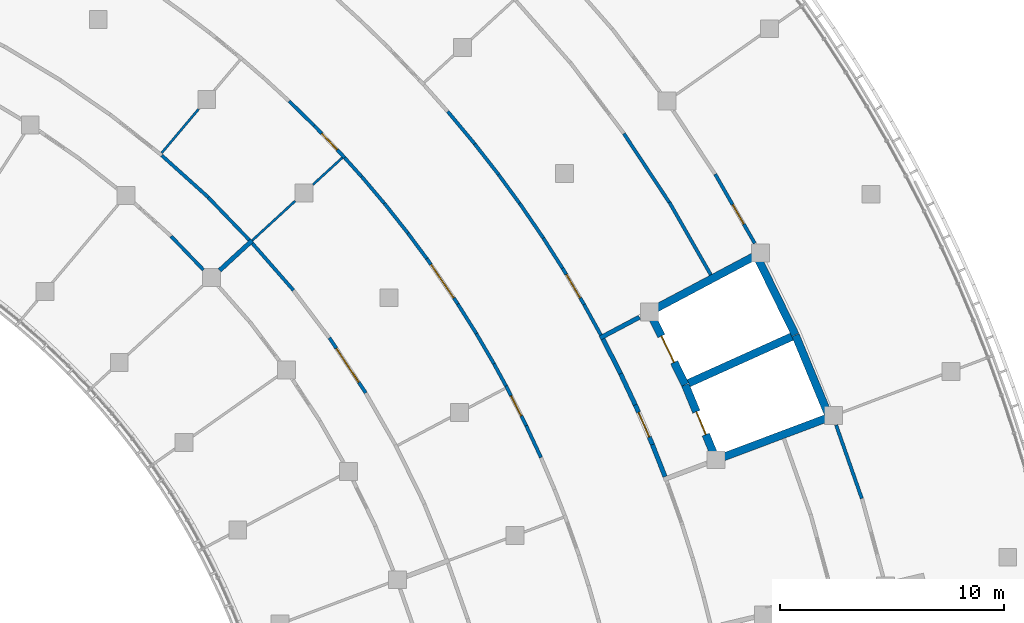
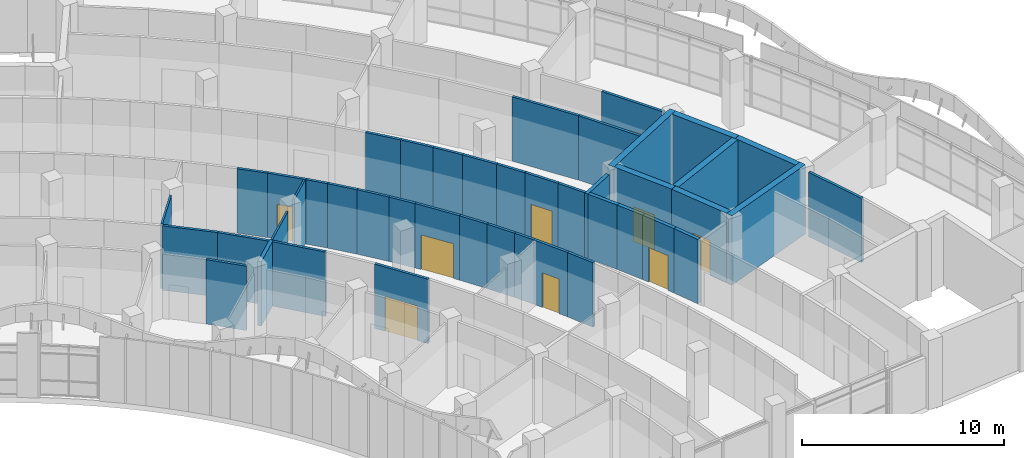
# One storey, part 67 of 137: 44 walls, 9 doors, 9 openings.
"""IFC4 building model written with IfcOpenShell, lengths in metres."""

from ifc_helpers import new_model, si_unit, direction, frame, frame_2d, origin, place, context, subcontext, project, spatial, rectangle, extrude, material, layer, layer_set, type_object, element, fill, save


model = new_model("IFC4")

# Units and contexts
model_context = context("Model", 3, precision=1e-05, world=origin(), true_north=direction((0.0, 1.0)))
body_context = subcontext(model_context, "Body", "Model", "MODEL_VIEW")
ifc_project = project(units=[si_unit("LENGTHUNIT", "METRE"), si_unit("AREAUNIT", "SQUARE_METRE"), si_unit("VOLUMEUNIT", "CUBIC_METRE"), si_unit("PLANEANGLEUNIT", "RADIAN"), si_unit("MASSUNIT", "GRAM", prefix="KILO")], contexts=[model_context])

# Site, building, storey
site_placement = place(None, origin())
site = spatial("IfcSite", under=ifc_project, at=site_placement, CompositionType="ELEMENT")
building_placement = place(site_placement, origin())
building = spatial("IfcBuilding", under=site, at=building_placement, Name="Bougainvillea Quay General Hospital", CompositionType="ELEMENT")
storey_placement = place(building_placement, frame((0.0, 0.0, 16.800048828125)))
storey = spatial("IfcBuildingStorey", under=building, at=storey_placement, Name="L03", CompositionType="ELEMENT", Elevation=16.800048828125)

# Walls
ifc_material_1 = material(Name="Gypsum board partition on steel studs", Category="steel")
ifc_layer_1 = layer(ifc_material_1, 0.10009765625)
ifc_layer_set_1 = layer_set([ifc_layer_1], Name="Gypsum board partition on steel studs")
wall_type_1 = type_object("IfcWallType", Name="Partition 100 Gypsum board partition EI 30", PredefinedType="PARTITIONING", material=ifc_layer_set_1)
wall_1_placement = place(storey_placement, frame((141.64501953125, 51.797607421875, 0.0), z_axis=(0.0, 0.0, 1.0), x_axis=(0.73658314114, 0.676347008709, 0.0)))
element("IfcWall", 1, at=wall_1_placement, inside=storey, type_object=wall_type_1, Name="Partition 100 mm EI 30", PredefinedType="PARTITIONING", context=body_context, shape_type="SweptSolid", body=[
    extrude(rectangle(XDim=2.610107421875, YDim=0.10009765625, at=frame_2d((1.30517578125, 0.0))), origin(), (0.0, 0.0, 1.0), 3.89990234375),
])
wall_2_placement = place(storey_placement, frame((144.3603515625, 54.291015625, 0.0), z_axis=(0.0, 0.0, 1.0), x_axis=(0.736578706187, 0.676351838611, 0.0)))
element("IfcWall", 2, at=wall_2_placement, inside=storey, type_object=wall_type_1, Name="Partition 100 mm EI 30", PredefinedType="PARTITIONING", context=body_context, shape_type="SweptSolid", body=[
    extrude(rectangle(XDim=1.779541015625, YDim=0.10009765625, at=frame_2d((0.8896484375, 0.0))), origin(), (0.0, 0.0, 1.0), 3.89990234375),
])
wall_3_placement = place(storey_placement, frame((137.60546875, 55.70361328125, 0.0), z_axis=(0.0, 0.0, 1.0), x_axis=(0.644432238292, 0.764661421971, 0.0)))
element("IfcWall", 3, at=wall_3_placement, inside=storey, type_object=wall_type_1, Name="Partition 100 mm EI 30", PredefinedType="PARTITIONING", context=body_context, shape_type="SweptSolid", body=[
    extrude(rectangle(XDim=2.560546875, YDim=0.10009765625, at=frame_2d((1.2802734375, 0.0))), origin(), (0.0, 0.0, 1.0), 3.89990234375),
])

# Wall, opening, door
ifc_material_2 = material(Name="Gypsum board partition on steel studs, insulated", Category="steel")
ifc_layer_2 = layer(ifc_material_2, 0.14990234375)
ifc_layer_set_2 = layer_set([ifc_layer_2], Name="Gypsum board partition on steel studs, insulated")
wall_type_2 = type_object("IfcWallType", Name="Partition 150 Gypsum board partition EI 30", PredefinedType="PARTITIONING", material=ifc_layer_set_2)
wall_4_placement = place(storey_placement, frame((162.312744140625, 54.758056640625, 0.0), z_axis=(0.0, 0.0, 1.0), x_axis=(0.496582798362, -0.867989357291, 0.0)))
wall_4 = element("IfcWall", 4, at=wall_4_placement, inside=storey, type_object=wall_type_2, Name="Partition 150 mm EI 30", PredefinedType="PARTITIONING", context=body_context, shape_type="SweptSolid", body=[
    extrude(rectangle(XDim=3.553466796875, YDim=0.14990234375, at=frame_2d((1.77685546875, 0.0))), origin(), (0.0, 0.0, 1.0), 3.89990234375),
])
opening_1_placement = place(wall_4_placement, frame((1.56591796875, 0.0, 0.0)))
opening_1 = element("IfcOpeningElement", 5, at=opening_1_placement, cuts=wall_4, Name="Opening L03.185", PredefinedType="OPENING", context=body_context, shape_type="SweptSolid", body=[
    extrude(rectangle(XDim=1.0, YDim=2.10009765625, at=frame_2d((0.5, 1.050048828125))), frame((0.0, 0.0849609375, 0.0), z_axis=(0.0, -1.0, 0.0), x_axis=(1.0, 0.0, 0.0)), (0.0, 0.0, 1.0), 0.169921875),
])
ifc_material_3 = material(Name="Solid-core timber door leaf in steel frame", Category="steel")
door_type_1 = type_object("IfcDoorType", Name="Single leaf door 1000x2100 FD30S", OperationType="NOTDEFINED", PredefinedType="DOOR", material=ifc_material_3)
door_1_placement = place(opening_1_placement, origin())
door_1 = element("IfcDoor", 6, at=door_1_placement, inside=storey, type_object=door_type_1, Name="DT15 L03.185", OperationType="SINGLE_SWING_RIGHT", OverallHeight=2.10009765625, OverallWidth=1.0, PredefinedType="DOOR", context=body_context, shape_type="SweptSolid", body=[
    extrude(rectangle(XDim=1.0, YDim=2.10009765625, at=frame_2d((0.5, 1.050048828125))), frame((0.0, 0.02490234375, 0.0), z_axis=(0.0, -1.0, 0.0), x_axis=(1.0, 0.0, 0.0)), (0.0, 0.0, 1.0), 0.050048828125),
])
fill(opening_1, door_1)

# Walls
wall_5_placement = place(storey_placement, frame((167.711181640625, 43.55859375, 0.0), z_axis=(0.0, 0.0, 1.0), x_axis=(0.330491338893, -0.9438090246, 0.0)))
element("IfcWall", 7, at=wall_5_placement, inside=storey, type_object=wall_type_2, Name="Partition 150 mm EI 30", PredefinedType="PARTITIONING", context=body_context, shape_type="SweptSolid", body=[
    extrude(rectangle(XDim=3.47265625, YDim=0.14990234375, at=frame_2d((1.736328125, 0.0))), origin(), (0.0, 0.0, 1.0), 3.89990234375),
])
wall_6_placement = place(storey_placement, frame((160.268798828125, 53.501220703125, 0.0), z_axis=(0.0, 0.0, 1.0), x_axis=(0.496371795626, -0.8681100394, 0.0)))
element("IfcWall", 8, at=wall_6_placement, inside=storey, type_object=wall_type_2, Name="Partition 150 mm EI 30", PredefinedType="PARTITIONING", context=body_context, shape_type="SweptSolid", body=[
    extrude(rectangle(XDim=3.725830078125, YDim=0.14990234375, at=frame_2d((1.86279296875, 0.0))), origin(), (0.0, 0.0, 1.0), 3.89990234375),
])
wall_7_placement = place(storey_placement, frame((158.23583984375, 56.5712890625, 0.0), z_axis=(0.0, 0.0, 1.0), x_axis=(0.550996276136, -0.834507701393, 0.0)))
element("IfcWall", 9, at=wall_7_placement, inside=storey, type_object=wall_type_2, Name="Partition 150 mm EI 30", PredefinedType="PARTITIONING", context=body_context, shape_type="SweptSolid", body=[
    extrude(rectangle(XDim=3.6865234375, YDim=0.14990234375, at=frame_2d((1.84326171875, 0.0))), origin(), (0.0, 0.0, 1.0), 3.89990234375),
])

# Wall, opening, door
wall_8_placement = place(storey_placement, frame((145.089599609375, 47.45849609375, 0.0), z_axis=(0.0, 0.0, 1.0), x_axis=(0.551018151494, -0.834493257447, 0.0)))
wall_8 = element("IfcWall", 10, at=wall_8_placement, inside=storey, type_object=wall_type_2, Name="Partition 150 mm EI 30", PredefinedType="PARTITIONING", context=body_context, shape_type="SweptSolid", body=[
    extrude(rectangle(XDim=2.95751953125, YDim=0.14990234375, at=frame_2d((1.478759765625, 0.0))), origin(), (0.0, 0.0, 1.0), 3.89990234375),
])
opening_2_placement = place(wall_8_placement, frame((0.578857421875, 0.0, 0.0)))
opening_2 = element("IfcOpeningElement", 11, at=opening_2_placement, cuts=wall_8, Name="Opening L03.149", PredefinedType="OPENING", context=body_context, shape_type="SweptSolid", body=[
    extrude(rectangle(XDim=1.800048828125, YDim=2.10009765625, at=frame_2d((0.89990234375, 1.050048828125))), frame((0.0, 0.0849609375, 0.0), z_axis=(0.0, -1.0, 0.0), x_axis=(1.0, 0.0, 0.0)), (0.0, 0.0, 1.0), 0.169921875),
])
ifc_material_4 = material(Name="Solid-core timber door leaves in steel frame", Category="steel")
door_type_2 = type_object("IfcDoorType", Name="Double leaf door 1800x2100", OperationType="DOUBLE_DOOR_SINGLE_SWING", PredefinedType="DOOR", material=ifc_material_4)
door_2_placement = place(opening_2_placement, frame((1.800048828125, 0.0, 0.0), z_axis=(0.0, 0.0, 1.0), x_axis=(-1.0, 0.0, 0.0)))
door_2 = element("IfcDoor", 12, at=door_2_placement, inside=storey, type_object=door_type_2, Name="DT08 L03.149", OperationType="DOUBLE_DOOR_SINGLE_SWING", OverallHeight=2.10009765625, OverallWidth=1.800048828125, PredefinedType="DOOR", context=body_context, shape_type="SweptSolid", body=[
    extrude(rectangle(XDim=1.800048828125, YDim=2.10009765625, at=frame_2d((0.89990234375, 1.050048828125))), frame((0.0, 0.02490234375, 0.0), z_axis=(0.0, -1.0, 0.0), x_axis=(1.0, 0.0, 0.0)), (0.0, 0.0, 1.0), 0.050048828125),
])
fill(opening_2, door_2)

# Walls
wall_9_placement = place(storey_placement, frame((141.656005859375, 51.66943359375, 0.0), z_axis=(0.0, 0.0, 1.0), x_axis=(0.659076402407, -0.752075990702, 0.0)))
element("IfcWall", 13, at=wall_9_placement, inside=storey, type_object=wall_type_2, Name="Partition 150 mm EI 30", PredefinedType="PARTITIONING", context=body_context, shape_type="SweptSolid", body=[
    extrude(rectangle(XDim=2.780029296875, YDim=0.14990234375, at=frame_2d((1.39013671875, 0.0))), origin(), (0.0, 0.0, 1.0), 3.89990234375),
])
wall_10_placement = place(storey_placement, frame((137.6083984375, 55.597900390625, 0.0), z_axis=(0.0, 0.0, 1.0), x_axis=(0.743501368773, -0.668734412628, 0.0)))
element("IfcWall", 14, at=wall_10_placement, inside=storey, type_object=wall_type_2, Name="Partition 150 mm EI 30", PredefinedType="PARTITIONING", context=body_context, shape_type="SweptSolid", body=[
    extrude(rectangle(XDim=2.8115234375, YDim=0.14990234375, at=frame_2d((1.40576171875, 0.0))), origin(), (0.0, 0.0, 1.0), 3.89990234375),
])
wall_11_placement = place(storey_placement, frame((139.69140625, 53.717529296875, 0.0), z_axis=(0.0, 0.0, 1.0), x_axis=(0.693447550136, -0.720507109757, 0.0)))
element("IfcWall", 15, at=wall_11_placement, inside=storey, type_object=wall_type_2, Name="Partition 150 mm EI 30", PredefinedType="PARTITIONING", context=body_context, shape_type="SweptSolid", body=[
    extrude(rectangle(XDim=2.634521484375, YDim=0.14990234375, at=frame_2d((1.3173828125, 0.0))), origin(), (0.0, 0.0, 1.0), 3.89990234375),
])
wall_12_placement = place(storey_placement, frame((138.031494140625, 51.984619140625, 0.0), z_axis=(0.0, 0.0, 1.0), x_axis=(0.693216793474, -0.7207291289, 0.0)))
element("IfcWall", 16, at=wall_12_placement, inside=storey, type_object=wall_type_2, Name="Partition 150 mm EI 30", PredefinedType="PARTITIONING", context=body_context, shape_type="SweptSolid", body=[
    extrude(rectangle(XDim=2.076416015625, YDim=0.14990234375, at=frame_2d((1.0380859375, 0.0))), origin(), (0.0, 0.0, 1.0), 3.89990234375),
])

# Wall, opening, door
wall_13_placement = place(storey_placement, frame((149.442626953125, 50.989990234375, 0.0), z_axis=(0.0, 0.0, 1.0), x_axis=(0.564305795339, -0.825565847977, 0.0)))
wall_13 = element("IfcWall", 17, at=wall_13_placement, inside=storey, type_object=wall_type_2, Name="Partition 150 mm EI 30", PredefinedType="PARTITIONING", context=body_context, shape_type="SweptSolid", body=[
    extrude(rectangle(XDim=2.453857421875, YDim=0.14990234375, at=frame_2d((1.22705078125, 0.0))), origin(), (0.0, 0.0, 1.0), 3.89990234375),
])
opening_3_placement = place(wall_13_placement, frame((0.326904296875, 0.0, 0.0)))
opening_3 = element("IfcOpeningElement", 18, at=opening_3_placement, cuts=wall_13, Name="Opening L03.163", PredefinedType="OPENING", context=body_context, shape_type="SweptSolid", body=[
    extrude(rectangle(XDim=1.800048828125, YDim=2.10009765625, at=frame_2d((0.89990234375, 1.050048828125))), frame((0.0, 0.0849609375, 0.0), z_axis=(0.0, -1.0, 0.0), x_axis=(1.0, 0.0, 0.0)), (0.0, 0.0, 1.0), 0.169921875),
])
door_3_placement = place(opening_3_placement, origin())
door_3 = element("IfcDoor", 19, at=door_3_placement, inside=storey, type_object=door_type_2, Name="DT08 L03.163", OperationType="DOUBLE_DOOR_SINGLE_SWING", OverallHeight=2.10009765625, OverallWidth=1.800048828125, PredefinedType="DOOR", context=body_context, shape_type="SweptSolid", body=[
    extrude(rectangle(XDim=1.800048828125, YDim=2.10009765625, at=frame_2d((0.89990234375, 1.050048828125))), frame((0.0, 0.02490234375, 0.0), z_axis=(0.0, -1.0, 0.0), x_axis=(1.0, 0.0, 0.0)), (0.0, 0.0, 1.0), 0.050048828125),
])
fill(opening_3, door_3)

wall_14_placement = place(storey_placement, frame((152.97998046875, 45.303955078125, 0.0), z_axis=(0.0, 0.0, 1.0), x_axis=(0.45308978769, -0.89146488674, 0.0)))
wall_14 = element("IfcWall", 20, at=wall_14_placement, inside=storey, type_object=wall_type_2, Name="Partition 150 mm EI 30", PredefinedType="PARTITIONING", context=body_context, shape_type="SweptSolid", body=[
    extrude(rectangle(XDim=1.990966796875, YDim=0.14990234375, at=frame_2d((0.99560546875, 0.0))), origin(), (0.0, 0.0, 1.0), 3.89990234375),
])
opening_4_placement = place(wall_14_placement, frame((0.495361328125, 0.0, 0.0)))
opening_4 = element("IfcOpeningElement", 21, at=opening_4_placement, cuts=wall_14, Name="Opening L03.191", PredefinedType="OPENING", context=body_context, shape_type="SweptSolid", body=[
    extrude(rectangle(XDim=1.0, YDim=2.10009765625, at=frame_2d((0.5, 1.050048828125))), frame((0.0, 0.0849609375, 0.0), z_axis=(0.0, -1.0, 0.0), x_axis=(1.0, 0.0, 0.0)), (0.0, 0.0, 1.0), 0.169921875),
])
door_4_placement = place(opening_4_placement, frame((1.0, 0.0, 0.0), z_axis=(0.0, 0.0, 1.0), x_axis=(-1.0, 0.0, 0.0)))
door_4 = element("IfcDoor", 22, at=door_4_placement, inside=storey, type_object=door_type_1, Name="DT15 L03.191", OperationType="SINGLE_SWING_RIGHT", OverallHeight=2.10009765625, OverallWidth=1.0, PredefinedType="DOOR", context=body_context, shape_type="SweptSolid", body=[
    extrude(rectangle(XDim=1.0, YDim=2.10009765625, at=frame_2d((0.5, 1.050048828125))), frame((0.0, 0.02490234375, 0.0), z_axis=(0.0, -1.0, 0.0), x_axis=(1.0, 0.0, 0.0)), (0.0, 0.0, 1.0), 0.050048828125),
])
fill(opening_4, door_4)

wall_15_placement = place(storey_placement, frame((144.408203125, 56.933349609375, 0.0), z_axis=(0.0, 0.0, 1.0), x_axis=(0.689023586461, -0.724738916646, 0.0)))
wall_15 = element("IfcWall", 23, at=wall_15_placement, inside=storey, type_object=wall_type_2, Name="Partition 150 mm EI 30", PredefinedType="PARTITIONING", context=body_context, shape_type="SweptSolid", body=[
    extrude(rectangle(XDim=1.9892578125, YDim=0.14990234375, at=frame_2d((0.99462890625, 0.0))), origin(), (0.0, 0.0, 1.0), 3.89990234375),
])
opening_5_placement = place(wall_15_placement, frame((0.494384765625, 0.0, 0.0)))
opening_5 = element("IfcOpeningElement", 24, at=opening_5_placement, cuts=wall_15, Name="Opening L03.187", PredefinedType="OPENING", context=body_context, shape_type="SweptSolid", body=[
    extrude(rectangle(XDim=1.0, YDim=2.10009765625, at=frame_2d((0.5, 1.050048828125))), frame((0.0, 0.0849609375, 0.0), z_axis=(0.0, -1.0, 0.0), x_axis=(1.0, 0.0, 0.0)), (0.0, 0.0, 1.0), 0.169921875),
])
door_5_placement = place(opening_5_placement, frame((1.0, 0.0, 0.0), z_axis=(0.0, 0.0, 1.0), x_axis=(-1.0, 0.0, 0.0)))
door_5 = element("IfcDoor", 25, at=door_5_placement, inside=storey, type_object=door_type_1, Name="DT15 L03.187", OperationType="SINGLE_SWING_LEFT", OverallHeight=2.10009765625, OverallWidth=1.0, PredefinedType="DOOR", context=body_context, shape_type="SweptSolid", body=[
    extrude(rectangle(XDim=1.0, YDim=2.10009765625, at=frame_2d((0.5, 1.050048828125))), frame((0.0, 0.02490234375, 0.0), z_axis=(0.0, -1.0, 0.0), x_axis=(1.0, 0.0, 0.0)), (0.0, 0.0, 1.0), 0.050048828125),
])
fill(opening_5, door_5)

wall_16_placement = place(storey_placement, frame((155.497802734375, 50.56640625, 0.0), z_axis=(0.0, 0.0, 1.0), x_axis=(0.510320389621, -0.859984360287, 0.0)))
wall_16 = element("IfcWall", 26, at=wall_16_placement, inside=storey, type_object=wall_type_2, Name="Partition 150 mm EI 30", PredefinedType="PARTITIONING", context=body_context, shape_type="SweptSolid", body=[
    extrude(rectangle(XDim=1.885986328125, YDim=0.14990234375, at=frame_2d((0.94287109375, 0.0))), origin(), (0.0, 0.0, 1.0), 3.89990234375),
])
opening_6_placement = place(wall_16_placement, frame((0.343017578125, 0.0, 0.0)))
opening_6 = element("IfcOpeningElement", 27, at=opening_6_placement, cuts=wall_16, Name="Opening L03.160", PredefinedType="OPENING", context=body_context, shape_type="SweptSolid", body=[
    extrude(rectangle(XDim=1.199951171875, YDim=2.10009765625, at=frame_2d((0.60009765625, 1.050048828125))), frame((0.0, 0.0849609375, 0.0), z_axis=(0.0, -1.0, 0.0), x_axis=(1.0, 0.0, 0.0)), (0.0, 0.0, 1.0), 0.169921875),
])
door_type_3 = type_object("IfcDoorType", Name="Single leaf door 1200x2100", OperationType="NOTDEFINED", PredefinedType="DOOR", material=ifc_material_3)
door_6_placement = place(opening_6_placement, frame((1.199951171875, 0.0, 0.0), z_axis=(0.0, 0.0, 1.0), x_axis=(-1.0, 0.0, 0.0)))
door_6 = element("IfcDoor", 28, at=door_6_placement, inside=storey, type_object=door_type_3, Name="DT13 L03.160", OperationType="SINGLE_SWING_RIGHT", OverallHeight=2.10009765625, OverallWidth=1.199951171875, PredefinedType="DOOR", context=body_context, shape_type="SweptSolid", body=[
    extrude(rectangle(XDim=1.199951171875, YDim=2.10009765625, at=frame_2d((0.60009765625, 1.050048828125))), frame((0.0, 0.02490234375, 0.0), z_axis=(0.0, -1.0, 0.0), x_axis=(1.0, 0.0, 0.0)), (0.0, 0.0, 1.0), 0.050048828125),
])
fill(opening_6, door_6)

# Walls
wall_17_placement = place(storey_placement, frame((150.3720703125, 57.5576171875, 0.0), z_axis=(0.0, 0.0, 1.0), x_axis=(0.640540861144, -0.767924088178, 0.0)))
element("IfcWall", 29, at=wall_17_placement, inside=storey, type_object=wall_type_2, Name="Partition 150 mm EI 30", PredefinedType="PARTITIONING", context=body_context, shape_type="SweptSolid", body=[
    extrude(rectangle(XDim=1.885986328125, YDim=0.14990234375, at=frame_2d((0.94287109375, 0.0))), origin(), (0.0, 0.0, 1.0), 3.89990234375),
])
wall_18_placement = place(storey_placement, frame((151.57666015625, 56.109619140625, 0.0), z_axis=(0.0, 0.0, 1.0), x_axis=(0.615485903982, -0.788147893481, 0.0)))
element("IfcWall", 30, at=wall_18_placement, inside=storey, type_object=wall_type_2, Name="Partition 150 mm EI 30", PredefinedType="PARTITIONING", context=body_context, shape_type="SweptSolid", body=[
    extrude(rectangle(XDim=1.73779296875, YDim=0.14990234375, at=frame_2d((0.868896484375, 0.0))), origin(), (0.0, 0.0, 1.0), 3.89990234375),
])
wall_19_placement = place(storey_placement, frame((153.581787109375, 53.4599609375, 0.0), z_axis=(0.0, 0.0, 1.0), x_axis=(0.564047793024, -0.825742143277, 0.0)))
element("IfcWall", 31, at=wall_19_placement, inside=storey, type_object=wall_type_2, Name="Partition 150 mm EI 30", PredefinedType="PARTITIONING", context=body_context, shape_type="SweptSolid", body=[
    extrude(rectangle(XDim=1.885498046875, YDim=0.14990234375, at=frame_2d((0.94287109375, 0.0))), origin(), (0.0, 0.0, 1.0), 3.89990234375),
])
wall_20_placement = place(storey_placement, frame((152.642822265625, 54.740234375, 0.0), z_axis=(0.0, 0.0, 1.0), x_axis=(0.590151339463, -0.807292633764, 0.0)))
element("IfcWall", 32, at=wall_20_placement, inside=storey, type_object=wall_type_2, Name="Partition 150 mm EI 30", PredefinedType="PARTITIONING", context=body_context, shape_type="SweptSolid", body=[
    extrude(rectangle(XDim=1.58984375, YDim=0.14990234375, at=frame_2d((0.794921875, 0.0))), origin(), (0.0, 0.0, 1.0), 3.89990234375),
])
wall_21_placement = place(storey_placement, frame((156.45703125, 48.9453125, 0.0), z_axis=(0.0, 0.0, 1.0), x_axis=(0.482411223267, -0.875944867937, 0.0)))
element("IfcWall", 33, at=wall_21_placement, inside=storey, type_object=wall_type_2, Name="Partition 150 mm EI 30", PredefinedType="PARTITIONING", context=body_context, shape_type="SweptSolid", body=[
    extrude(rectangle(XDim=1.560302734375, YDim=0.14990234375, at=frame_2d((0.7802734375, 0.0))), origin(), (0.0, 0.0, 1.0), 3.89990234375),
])
wall_22_placement = place(storey_placement, frame((154.64208984375, 51.90380859375, 0.0), z_axis=(0.0, 0.0, 1.0), x_axis=(0.537610565613, -0.843193263577, 0.0)))
element("IfcWall", 34, at=wall_22_placement, inside=storey, type_object=wall_type_2, Name="Partition 150 mm EI 30", PredefinedType="PARTITIONING", context=body_context, shape_type="SweptSolid", body=[
    extrude(rectangle(XDim=1.58984375, YDim=0.14990234375, at=frame_2d((0.794921875, 0.0))), origin(), (0.0, 0.0, 1.0), 3.89990234375),
])
wall_23_placement = place(storey_placement, frame((150.823486328125, 48.96484375, 0.0), z_axis=(0.0, 0.0, 1.0), x_axis=(0.531963557529, -0.846767248694, 0.0)))
element("IfcWall", 35, at=wall_23_placement, inside=storey, type_object=wall_type_2, Name="Partition 150 mm EI 30", PredefinedType="PARTITIONING", context=body_context, shape_type="SweptSolid", body=[
    extrude(rectangle(XDim=1.562744140625, YDim=0.14990234375, at=frame_2d((0.78125, 0.0))), origin(), (0.0, 0.0, 1.0), 3.89990234375),
])
wall_24_placement = place(storey_placement, frame((147.54150390625, 53.4619140625, 0.0), z_axis=(0.0, 0.0, 1.0), x_axis=(0.620542012859, -0.784173201708, 0.0)))
element("IfcWall", 36, at=wall_24_placement, inside=storey, type_object=wall_type_2, Name="Partition 150 mm EI 30", PredefinedType="PARTITIONING", context=body_context, shape_type="SweptSolid", body=[
    extrude(rectangle(XDim=1.7099609375, YDim=0.14990234375, at=frame_2d((0.85498046875, 0.0))), origin(), (0.0, 0.0, 1.0), 3.89990234375),
])
wall_25_placement = place(storey_placement, frame((143.29248046875, 58.0224609375, 0.0), z_axis=(0.0, 0.0, 1.0), x_axis=(0.714415993139, -0.699721222164, 0.0)))
element("IfcWall", 37, at=wall_25_placement, inside=storey, type_object=wall_type_2, Name="Partition 150 mm EI 30", PredefinedType="PARTITIONING", context=body_context, shape_type="SweptSolid", body=[
    extrude(rectangle(XDim=1.561767578125, YDim=0.14990234375, at=frame_2d((0.78076171875, 0.0))), origin(), (0.0, 0.0, 1.0), 3.89990234375),
])
wall_26_placement = place(storey_placement, frame((151.651611328125, 47.64208984375, 0.0), z_axis=(0.0, 0.0, 1.0), x_axis=(0.504852542481, -0.863205601436, 0.0)))
element("IfcWall", 38, at=wall_26_placement, inside=storey, type_object=wall_type_2, Name="Partition 150 mm EI 30", PredefinedType="PARTITIONING", context=body_context, shape_type="SweptSolid", body=[
    extrude(rectangle(XDim=1.5615234375, YDim=0.14990234375, at=frame_2d((0.78076171875, 0.0))), origin(), (0.0, 0.0, 1.0), 3.89990234375),
])
wall_27_placement = place(storey_placement, frame((153.87841796875, 43.5302734375, 0.0), z_axis=(0.0, 0.0, 1.0), x_axis=(0.421455751704, -0.906848967224, 0.0)))
element("IfcWall", 39, at=wall_27_placement, inside=storey, type_object=wall_type_2, Name="Partition 150 mm EI 30", PredefinedType="PARTITIONING", context=body_context, shape_type="SweptSolid", body=[
    extrude(rectangle(XDim=1.561767578125, YDim=0.14990234375, at=frame_2d((0.78076171875, 0.0))), origin(), (0.0, 0.0, 1.0), 3.89990234375),
])
wall_28_placement = place(storey_placement, frame((148.599365234375, 52.12158203125, 0.0), z_axis=(0.0, 0.0, 1.0), x_axis=(0.595875663086, -0.803076705017, 0.0)))
element("IfcWall", 40, at=wall_28_placement, inside=storey, type_object=wall_type_2, Name="Partition 150 mm EI 30", PredefinedType="PARTITIONING", context=body_context, shape_type="SweptSolid", body=[
    extrude(rectangle(XDim=1.413818359375, YDim=0.14990234375, at=frame_2d((0.70703125, 0.0))), origin(), (0.0, 0.0, 1.0), 3.89990234375),
])
wall_29_placement = place(storey_placement, frame((146.53369140625, 54.6513671875, 0.0), z_axis=(0.0, 0.0, 1.0), x_axis=(0.645184874707, -0.764026490018, 0.0)))
element("IfcWall", 41, at=wall_29_placement, inside=storey, type_object=wall_type_2, Name="Partition 150 mm EI 30", PredefinedType="PARTITIONING", context=body_context, shape_type="SweptSolid", body=[
    extrude(rectangle(XDim=1.561279296875, YDim=0.14990234375, at=frame_2d((0.78076171875, 0.0))), origin(), (0.0, 0.0, 1.0), 3.89990234375),
])
wall_30_placement = place(storey_placement, frame((145.775634765625, 55.49169921875, 0.0), z_axis=(0.0, 0.0, 1.0), x_axis=(0.668310227337, -0.743882678946, 0.0)))
element("IfcWall", 42, at=wall_30_placement, inside=storey, type_object=wall_type_2, Name="Partition 150 mm EI 30", PredefinedType="PARTITIONING", context=body_context, shape_type="SweptSolid", body=[
    extrude(rectangle(XDim=1.134033203125, YDim=0.14990234375, at=frame_2d((0.56689453125, 0.0))), origin(), (0.0, 0.0, 1.0), 3.89990234375),
])
wall_31_placement = place(storey_placement, frame((152.43701171875, 46.294921875, 0.0), z_axis=(0.0, 0.0, 1.0), x_axis=(0.478761469216, -0.877945018549, 0.0)))
element("IfcWall", 43, at=wall_31_placement, inside=storey, type_object=wall_type_2, Name="Partition 150 mm EI 30", PredefinedType="PARTITIONING", context=body_context, shape_type="SweptSolid", body=[
    extrude(rectangle(XDim=1.132080078125, YDim=0.14990234375, at=frame_2d((0.56591796875, 0.0))), origin(), (0.0, 0.0, 1.0), 3.89990234375),
])
ifc_material_5 = material(Name="Fire-rated autoclaved aerated block wall, plastered")
ifc_layer_3 = layer(ifc_material_5, 0.199951171875)
ifc_layer_set_3 = layer_set([ifc_layer_3], Name="Fire-rated autoclaved aerated block wall, plastered")
wall_type_3 = type_object("IfcWallType", Name="Partition 200 Fire-rated autoclaved aerated block wall EI 120", PredefinedType="SOLIDWALL", material=ifc_layer_set_3)
wall_32_placement = place(storey_placement, frame((157.170654296875, 47.442138671875, 0.0), z_axis=(0.0, 0.0, 1.0), x_axis=(0.883475149074, 0.468478026133, 0.0)))
element("IfcWall", 44, at=wall_32_placement, inside=storey, type_object=wall_type_3, Name="Partition 200 mm EI 120", PredefinedType="SOLIDWALL", context=body_context, shape_type="SweptSolid", body=[
    extrude(rectangle(XDim=1.994873046875, YDim=0.199951171875, at=frame_2d((0.99755859375, 0.0))), origin(), (0.0, 0.0, 1.0), 3.89990234375),
])
wall_33_placement = place(storey_placement, frame((140.1962890625, 50.466796875, 0.0), z_axis=(0.0, 0.0, 1.0), x_axis=(0.736519787736, 0.676415997943, 0.0)))
element("IfcWall", 45, at=wall_33_placement, inside=storey, type_object=wall_type_3, Name="Partition 200 mm EI 120", PredefinedType="SOLIDWALL", context=body_context, shape_type="SweptSolid", body=[
    extrude(rectangle(XDim=1.966064453125, YDim=0.199951171875, at=frame_2d((0.98291015625, 0.0))), origin(), (0.0, 0.0, 1.0), 3.89990234375),
])

# Wall, opening, door
wall_34_placement = place(storey_placement, frame((158.747314453125, 44.46484375, 0.0), z_axis=(0.0, 0.0, 1.0), x_axis=(0.396322487651, -0.918111368943, 0.0)))
wall_34 = element("IfcWall", 46, at=wall_34_placement, inside=storey, type_object=wall_type_3, Name="Partition 200 mm EI 120", PredefinedType="SOLIDWALL", context=body_context, shape_type="SweptSolid", body=[
    extrude(rectangle(XDim=1.93603515625, YDim=0.199951171875, at=frame_2d((0.968017578125, 0.0))), origin(), (0.0, 0.0, 1.0), 3.89990234375),
])
opening_7_placement = place(wall_34_placement, frame((0.3681640625, 0.0, 0.0)))
opening_7 = element("IfcOpeningElement", 47, at=opening_7_placement, cuts=wall_34, Name="Opening L03.152", PredefinedType="OPENING", context=body_context, shape_type="SweptSolid", body=[
    extrude(rectangle(XDim=1.199951171875, YDim=2.10009765625, at=frame_2d((0.60009765625, 1.050048828125))), frame((0.0, 0.10986328125, 0.0), z_axis=(0.0, -1.0, 0.0), x_axis=(1.0, 0.0, 0.0)), (0.0, 0.0, 1.0), 0.219970703125),
])
door_type_4 = type_object("IfcDoorType", Name="Single leaf door 1200x2100 FD60", OperationType="NOTDEFINED", PredefinedType="DOOR", material=ifc_material_3)
door_7_placement = place(opening_7_placement, origin())
door_7 = element("IfcDoor", 48, at=door_7_placement, inside=storey, type_object=door_type_4, Name="DT12 L03.152", OperationType="SINGLE_SWING_LEFT", OverallHeight=2.10009765625, OverallWidth=1.199951171875, PredefinedType="DOOR", context=body_context, shape_type="SweptSolid", body=[
    extrude(rectangle(XDim=1.199951171875, YDim=2.10009765625, at=frame_2d((0.60009765625, 1.050048828125))), frame((0.0, 0.02490234375, 0.0), z_axis=(0.0, -1.0, 0.0), x_axis=(1.0, 0.0, 0.0)), (0.0, 0.0, 1.0), 0.050048828125),
])
fill(opening_7, door_7)

# Walls
wall_35_placement = place(storey_placement, frame((157.30517578125, 47.398681640625, 0.0), z_axis=(0.0, 0.0, 1.0), x_axis=(0.454575201636, -0.890708361955, 0.0)))
element("IfcWall", 49, at=wall_35_placement, inside=storey, type_object=wall_type_3, Name="Partition 200 mm EI 120", PredefinedType="SOLIDWALL", context=body_context, shape_type="SweptSolid", body=[
    extrude(rectangle(XDim=1.734130859375, YDim=0.199951171875, at=frame_2d((0.8671875, 0.0))), origin(), (0.0, 0.0, 1.0), 3.89990234375),
])
wall_36_placement = place(storey_placement, frame((158.08935546875, 45.855224609375, 0.0), z_axis=(0.0, 0.0, 1.0), x_axis=(0.42579703633, -0.904818702201, 0.0)))
element("IfcWall", 50, at=wall_36_placement, inside=storey, type_object=wall_type_3, Name="Partition 200 mm EI 120", PredefinedType="SOLIDWALL", context=body_context, shape_type="SweptSolid", body=[
    extrude(rectangle(XDim=1.541259765625, YDim=0.199951171875, at=frame_2d((0.7705078125, 0.0))), origin(), (0.0, 0.0, 1.0), 3.89990234375),
])
wall_37_placement = place(storey_placement, frame((159.510498046875, 42.688720703125, 0.0), z_axis=(0.0, 0.0, 1.0), x_axis=(0.367195475631, -0.930143796773, 0.0)))
element("IfcWall", 51, at=wall_37_placement, inside=storey, type_object=wall_type_3, Name="Partition 200 mm EI 120", PredefinedType="SOLIDWALL", context=body_context, shape_type="SweptSolid", body=[
    extrude(rectangle(XDim=1.53662109375, YDim=0.199951171875, at=frame_2d((0.768310546875, 0.0))), origin(), (0.0, 0.0, 1.0), 3.89990234375),
])
ifc_material_6 = material(Name="Concrete C40", Category="concrete")
ifc_layer_4 = layer(ifc_material_6, 0.35009765625)
ifc_layer_set_4 = layer_set([ifc_layer_4], Name="Concrete C40")
wall_type_4 = type_object("IfcWallType", Name="RC SHEAR WALL 350 C40", PredefinedType="SHEAR", material=ifc_layer_set_4)
wall_38_placement = place(storey_placement, frame((159.224365234375, 48.531005859375, 0.0), z_axis=(0.0, 0.0, 1.0), x_axis=(0.883393138637, 0.468632652094, 0.0)))
element("IfcWall", 52, at=wall_38_placement, inside=storey, type_object=wall_type_4, Name="Shear wall L03", PredefinedType="SHEAR", context=body_context, shape_type="SweptSolid", body=[
    extrude(rectangle(XDim=5.7509765625, YDim=0.35009765625, at=frame_2d((2.87548828125, 0.0))), origin(), (0.0, 0.0, 1.0), 4.199951171875),
])

# Wall, opening, door
wall_39_placement = place(storey_placement, frame((159.4560546875, 48.455810546875, 0.0), z_axis=(0.0, 0.0, 1.0), x_axis=(0.440221126053, -0.89788939195, 0.0)))
wall_39 = element("IfcWall", 53, at=wall_39_placement, inside=storey, type_object=wall_type_4, Name="Shear wall L03", PredefinedType="SHEAR", context=body_context, shape_type="SweptSolid", body=[
    extrude(rectangle(XDim=3.4423828125, YDim=0.35009765625, at=frame_2d((1.72119140625, 0.0))), origin(), (0.0, 0.0, 1.0), 4.199951171875),
])
opening_8_placement = place(wall_39_placement, frame((1.031005859375, 0.0, 0.0)))
opening_8 = element("IfcOpeningElement", 54, at=opening_8_placement, cuts=wall_39, Name="Opening LD-E1.1-L03", PredefinedType="OPENING", context=body_context, shape_type="SweptSolid", body=[
    extrude(rectangle(XDim=1.300048828125, YDim=2.10009765625, at=frame_2d((0.64990234375, 1.050048828125))), frame((0.0, 0.18505859375, 0.0), z_axis=(0.0, -1.0, 0.0), x_axis=(1.0, 0.0, 0.0)), (0.0, 0.0, 1.0), 0.3701171875),
])
ifc_material_7 = material(Name="Stainless steel centre-opening landing door", Category="steel")
door_type_5 = type_object("IfcDoorType", Name="Lift landing door 1300x2100 E 120", OperationType="DOUBLE_DOOR_SLIDING", PredefinedType="DOOR", material=ifc_material_7)
door_8_placement = place(opening_8_placement, origin())
door_8 = element("IfcDoor", 55, at=door_8_placement, inside=storey, type_object=door_type_5, Name="Lift landing door LB-E1-1 L03", OperationType="DOUBLE_DOOR_SLIDING", OverallHeight=2.10009765625, OverallWidth=1.300048828125, PredefinedType="DOOR", context=body_context, shape_type="SweptSolid", body=[
    extrude(rectangle(XDim=1.300048828125, YDim=2.10009765625, at=frame_2d((0.64990234375, 1.050048828125))), frame((0.0, 0.02490234375, 0.0), z_axis=(0.0, -1.0, 0.0), x_axis=(1.0, 0.0, 0.0)), (0.0, 0.0, 1.0), 0.050048828125),
])
fill(opening_8, door_8)

wall_40_placement = place(storey_placement, frame((160.97607421875, 45.354736328125, 0.0), z_axis=(0.0, 0.0, 1.0), x_axis=(0.381990591944, -0.924166212143, 0.0)))
wall_40 = element("IfcWall", 56, at=wall_40_placement, inside=storey, type_object=wall_type_4, Name="Shear wall L03", PredefinedType="SHEAR", context=body_context, shape_type="SweptSolid", body=[
    extrude(rectangle(XDim=3.44287109375, YDim=0.35009765625, at=frame_2d((1.721435546875, 0.0))), origin(), (0.0, 0.0, 1.0), 4.199951171875),
])
opening_9_placement = place(wall_40_placement, frame((1.300048828125, 0.0, 0.0)))
opening_9 = element("IfcOpeningElement", 57, at=opening_9_placement, cuts=wall_40, Name="Opening LD-E1.2-L03", PredefinedType="OPENING", context=body_context, shape_type="SweptSolid", body=[
    extrude(rectangle(XDim=1.10009765625, YDim=2.10009765625, at=frame_2d((0.550048828125, 1.050048828125))), frame((0.0, 0.18505859375, 0.0), z_axis=(0.0, -1.0, 0.0), x_axis=(1.0, 0.0, 0.0)), (0.0, 0.0, 1.0), 0.3701171875),
])
door_type_6 = type_object("IfcDoorType", Name="Lift landing door 1100x2100 E 120", OperationType="DOUBLE_DOOR_SLIDING", PredefinedType="DOOR", material=ifc_material_7)
door_9_placement = place(opening_9_placement, origin())
door_9 = element("IfcDoor", 58, at=door_9_placement, inside=storey, type_object=door_type_6, Name="Lift landing door LB-E1-2 L03", OperationType="DOUBLE_DOOR_SLIDING", OverallHeight=2.10009765625, OverallWidth=1.10009765625, PredefinedType="DOOR", context=body_context, shape_type="SweptSolid", body=[
    extrude(rectangle(XDim=1.10009765625, YDim=2.10009765625, at=frame_2d((0.550048828125, 1.050048828125))), frame((0.0, 0.02490234375, 0.0), z_axis=(0.0, -1.0, 0.0), x_axis=(1.0, 0.0, 0.0)), (0.0, 0.0, 1.0), 0.050048828125),
])
fill(opening_9, door_9)

# Walls
wall_41_placement = place(storey_placement, frame((161.133544921875, 45.431884765625, 0.0), z_axis=(0.0, 0.0, 1.0), x_axis=(0.911564728385, 0.411156595427, 0.0)))
element("IfcWall", 59, at=wall_41_placement, inside=storey, type_object=wall_type_4, Name="Shear wall L03", PredefinedType="SHEAR", context=body_context, shape_type="SweptSolid", body=[
    extrude(rectangle(XDim=5.049560546875, YDim=0.35009765625, at=frame_2d((2.52490234375, 0.0))), origin(), (0.0, 0.0, 1.0), 4.199951171875),
])
wall_42_placement = place(storey_placement, frame((162.1943359375, 41.949462890625, 0.0), z_axis=(0.0, 0.0, 1.0), x_axis=(0.935920223106, 0.352212061095, 0.0)))
element("IfcWall", 60, at=wall_42_placement, inside=storey, type_object=wall_type_4, Name="Shear wall L03", PredefinedType="SHEAR", context=body_context, shape_type="SweptSolid", body=[
    extrude(rectangle(XDim=5.749755859375, YDim=0.35009765625, at=frame_2d((2.875, 0.0))), origin(), (0.0, 0.0, 1.0), 4.199951171875),
])
wall_43_placement = place(storey_placement, frame((165.8935546875, 47.5849609375, 0.0), z_axis=(0.0, 0.0, 1.0), x_axis=(-0.43992897418, 0.898032570499, 0.0)))
element("IfcWall", 61, at=wall_43_placement, inside=storey, type_object=wall_type_4, Name="Shear wall L03", PredefinedType="SHEAR", context=body_context, shape_type="SweptSolid", body=[
    extrude(rectangle(XDim=3.7880859375, YDim=0.35009765625, at=frame_2d((1.89404296875, 0.0))), origin(), (0.0, 0.0, 1.0), 4.199951171875),
])
wall_44_placement = place(storey_placement, frame((167.34521484375, 44.07470703125, 0.0), z_axis=(0.0, 0.0, 1.0), x_axis=(-0.382046231428, 0.924143212415, 0.0)))
element("IfcWall", 62, at=wall_44_placement, inside=storey, type_object=wall_type_4, Name="Shear wall L03", PredefinedType="SHEAR", context=body_context, shape_type="SweptSolid", body=[
    extrude(rectangle(XDim=3.78759765625, YDim=0.35009765625, at=frame_2d((1.893798828125, 0.0))), origin(), (0.0, 0.0, 1.0), 4.199951171875),
])

save(model, "model.ifc")
